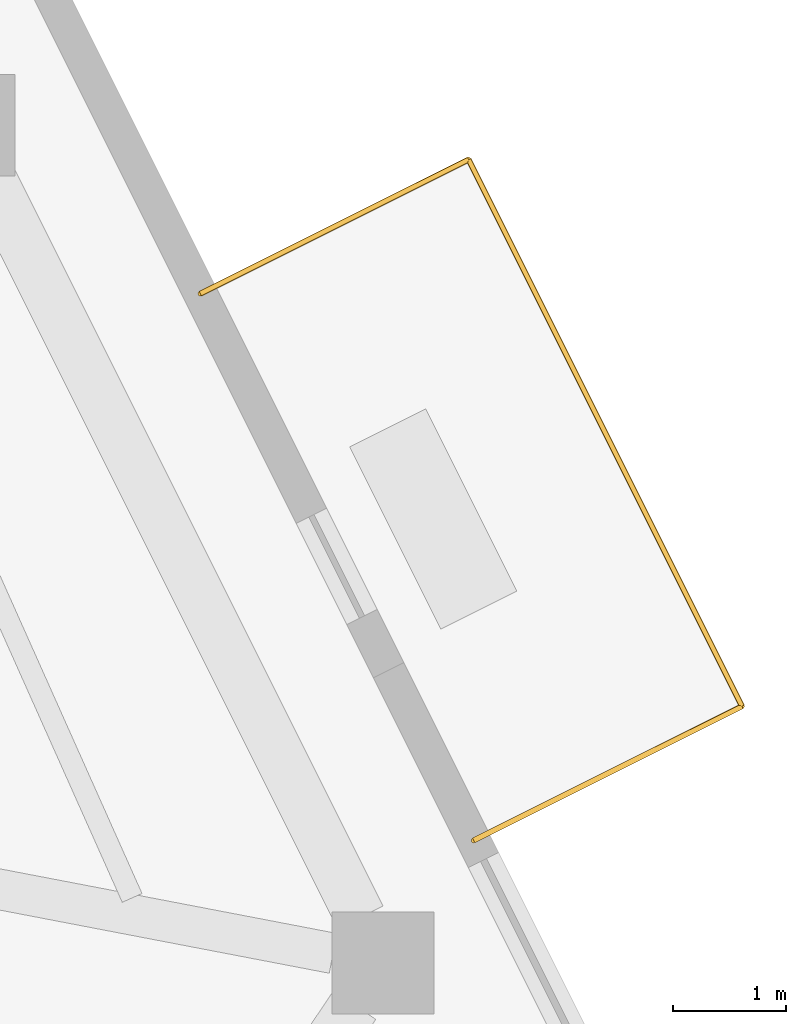
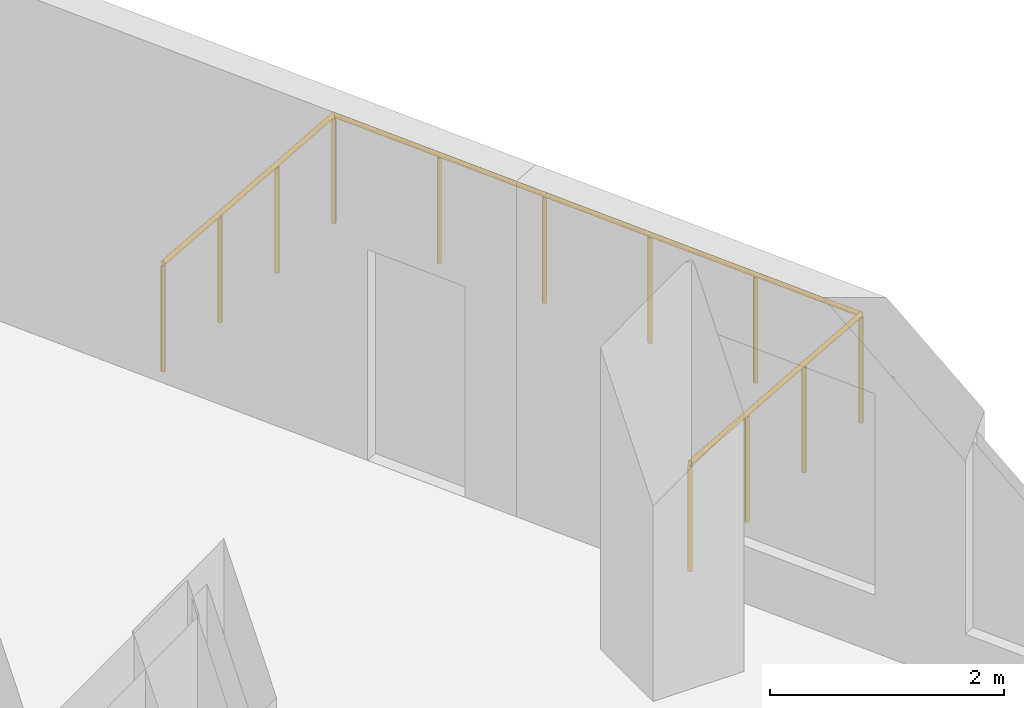
# One storey, part 9 of 9: 1 railing.
"""IFC4 building model written with IfcOpenShell, lengths in metres."""

from ifc_helpers import new_model, si_unit, direction, frame, origin, origin_2d, place, context, subcontext, project, spatial, circle, extrude, material, type_object, element, save


model = new_model("IFC4")

# Units and contexts
model_context = context("Model", 3, precision=1e-05, world=origin(), true_north=direction((0.0, 1.0)))
body_context = subcontext(model_context, "Body", "Model", "MODEL_VIEW")
ifc_project = project(units=[si_unit("LENGTHUNIT", "METRE"), si_unit("AREAUNIT", "SQUARE_METRE"), si_unit("VOLUMEUNIT", "CUBIC_METRE"), si_unit("PLANEANGLEUNIT", "RADIAN"), si_unit("MASSUNIT", "GRAM", prefix="KILO")], contexts=[model_context])

# Site, building, storey
site_placement = place(None, origin())
site = spatial("IfcSite", under=ifc_project, at=site_placement, CompositionType="ELEMENT")
building_placement = place(site_placement, origin())
building = spatial("IfcBuilding", under=site, at=building_placement, Name="Almagre Mirador Tower", CompositionType="ELEMENT")
storey_placement = place(building_placement, frame((0.0, 0.0, 259.5)))
storey = spatial("IfcBuildingStorey", under=building, at=storey_placement, Name="L67", CompositionType="ELEMENT", Elevation=259.5)

# Railing
ifc_material = material(Name="Black anodized aluminium", Category="aluminium")
railing_type = type_object("IfcRailingType", Name="RLG-BAL-1150", PredefinedType="BALUSTRADE", material=ifc_material)
railing_placement = place(storey_placement, frame((53.757080078125, 10.485107421875, 0.0)))
element("IfcRailing", 1, at=railing_placement, inside=storey, type_object=railing_type, Name="L67 east balcony balustrade 1", PredefinedType="BALUSTRADE", context=body_context, shape_type="SweptSolid", body=[
    extrude(circle(Radius=0.02392578125, at=origin_2d()), frame((0.0, 0.0, 1.1259765625), z_axis=(0.894519286051, 0.447029357966, 0.0), x_axis=(-0.447029357966, 0.894519286051, 0.0)), (0.0, 0.0, 1.0), 2.650390625),
    extrude(circle(Radius=0.02392578125, at=origin_2d()), frame((2.370849609375, 1.184814453125, 1.1259765625), z_axis=(-0.4472135955, 0.894427191, 0.0), x_axis=(-0.894427191, -0.4472135955, 0.0)), (0.0, 0.0, 1.0), 5.400146484375),
    extrude(circle(Radius=0.02392578125, at=origin_2d()), frame((-0.044189453125, 6.014892578125, 1.1259765625), z_axis=(-0.894408762121, -0.447250451359, 0.0), x_axis=(0.447250451359, -0.894408762121, 0.0)), (0.0, 0.0, 1.0), 2.649658203125),
    extrude(circle(Radius=0.02099609375, at=origin_2d()), origin(), (0.0, 0.0, 1.0), 1.101806640625),
    extrude(circle(Radius=0.02099609375, at=origin_2d()), frame((0.790283203125, 0.39501953125, 0.0)), (0.0, 0.0, 1.0), 1.101806640625),
    extrude(circle(Radius=0.02099609375, at=origin_2d()), frame((1.58056640625, 0.789794921875, 0.0)), (0.0, 0.0, 1.0), 1.101806640625),
    extrude(circle(Radius=0.02099609375, at=origin_2d()), frame((2.370849609375, 1.184814453125, 0.0)), (0.0, 0.0, 1.0), 1.101806640625),
    extrude(circle(Radius=0.02099609375, at=origin_2d()), frame((1.887939453125, 2.15087890625, 0.0)), (0.0, 0.0, 1.0), 1.101806640625),
    extrude(circle(Radius=0.02099609375, at=origin_2d()), frame((1.40478515625, 3.116943359375, 0.0)), (0.0, 0.0, 1.0), 1.101806640625),
    extrude(circle(Radius=0.02099609375, at=origin_2d()), frame((0.921875, 4.082763671875, 0.0)), (0.0, 0.0, 1.0), 1.101806640625),
    extrude(circle(Radius=0.02099609375, at=origin_2d()), frame((0.438720703125, 5.048828125, 0.0)), (0.0, 0.0, 1.0), 1.101806640625),
    extrude(circle(Radius=0.02099609375, at=origin_2d()), frame((-0.044189453125, 6.014892578125, 0.0)), (0.0, 0.0, 1.0), 1.101806640625),
    extrude(circle(Radius=0.02099609375, at=origin_2d()), frame((-0.834228515625, 5.619873046875, 0.0)), (0.0, 0.0, 1.0), 1.101806640625),
    extrude(circle(Radius=0.02099609375, at=origin_2d()), frame((-1.6240234375, 5.224853515625, 0.0)), (0.0, 0.0, 1.0), 1.101806640625),
    extrude(circle(Radius=0.02099609375, at=origin_2d()), frame((-2.4140625, 4.829833984375, 0.0)), (0.0, 0.0, 1.0), 1.101806640625),
])

save(model, "model.ifc")
